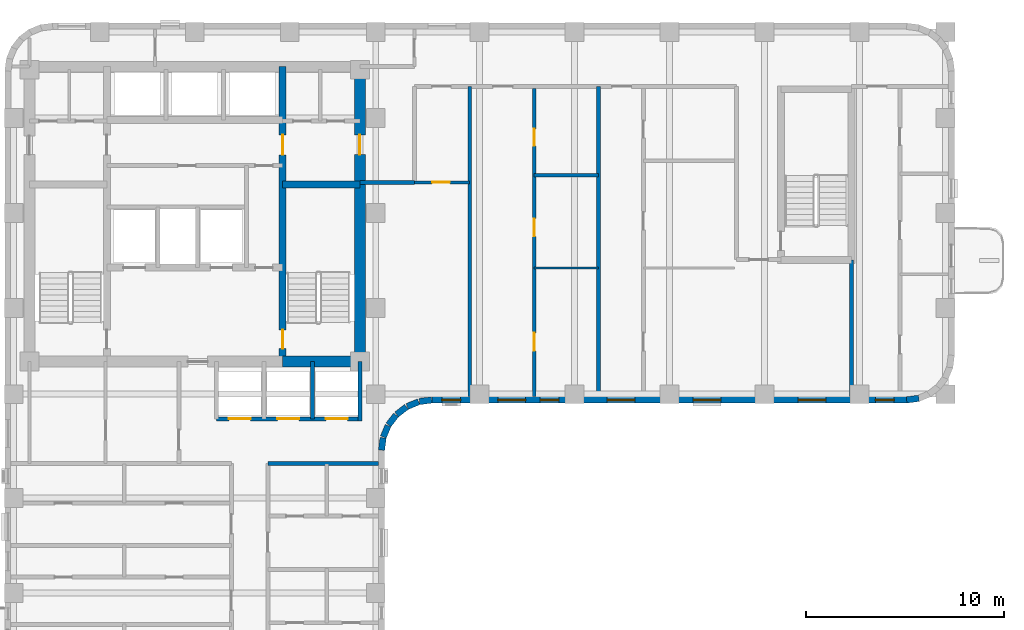
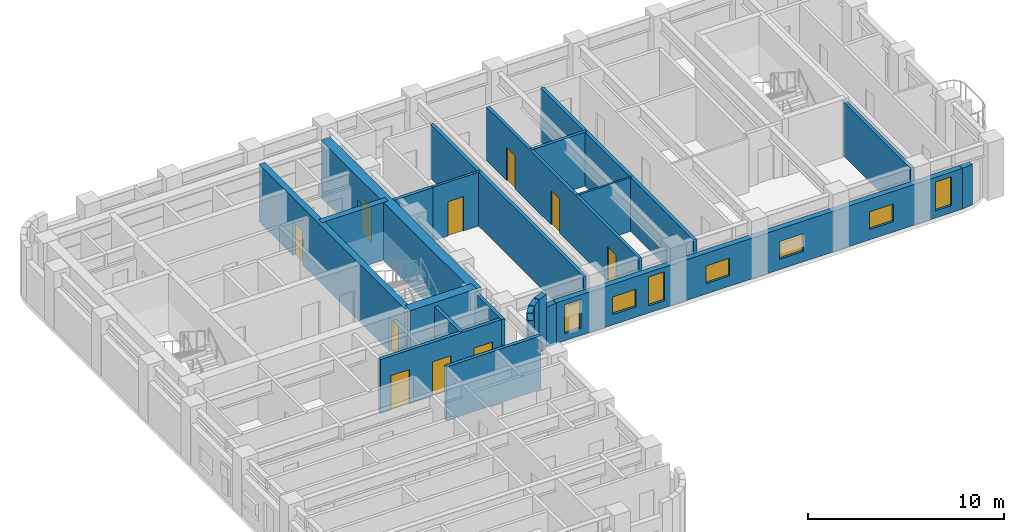
# One storey, part 5 of 10: 24 walls, 10 doors, 7 windows, 17 openings.
"""IFC4 building model written with IfcOpenShell, lengths in metres."""

from ifc_helpers import new_model, si_unit, direction, frame, frame_2d, origin, place, context, subcontext, project, spatial, rectangle, extrude, material, layer, layer_set, type_object, element, fill, save


model = new_model("IFC4")

# Units and contexts
model_context = context("Model", 3, precision=1e-05, world=origin(), true_north=direction((0.0, 1.0)))
body_context = subcontext(model_context, "Body", "Model", "MODEL_VIEW")
ifc_project = project(units=[si_unit("LENGTHUNIT", "METRE"), si_unit("AREAUNIT", "SQUARE_METRE"), si_unit("VOLUMEUNIT", "CUBIC_METRE"), si_unit("PLANEANGLEUNIT", "RADIAN"), si_unit("MASSUNIT", "GRAM", prefix="KILO")], contexts=[model_context])

# Site, building, storey
site_placement = place(None, origin())
site = spatial("IfcSite", under=ifc_project, at=site_placement, CompositionType="ELEMENT")
building_placement = place(site_placement, origin())
building = spatial("IfcBuilding", under=site, at=building_placement, Name="Orvandelia Arch Residences", CompositionType="ELEMENT")
storey_placement = place(building_placement, frame((0.0, 0.0, 110.800048828125)))
storey = spatial("IfcBuildingStorey", under=building, at=storey_placement, Name="L28", CompositionType="ELEMENT", Elevation=110.800048828125)

# Wall, openings, doors
ifc_material_1 = material(Name="Concrete C50/60", Category="concrete")
ifc_layer_1 = layer(ifc_material_1, 0.35009765625, Name="Concrete C50/60", Category="concrete")
ifc_layer_set_1 = layer_set([ifc_layer_1], Name="Concrete C50/60")
wall_type_1 = type_object("IfcWallType", Name="WL-CORE-350", PredefinedType="SHEAR", material=ifc_layer_set_1)
wall_1_placement = place(storey_placement, frame((18.840087890625, 30.89990234375, 0.0), z_axis=(0.0, 0.0, 1.0), x_axis=(0.0, 1.0, 0.0)))
wall_1 = element("IfcWall", 1, at=wall_1_placement, inside=storey, type_object=wall_type_1, Name="Core Shear Wall L28-WEB2", PredefinedType="SHEAR", context=body_context, shape_type="SweptSolid", body=[
    extrude(rectangle(XDim=14.900146484375, YDim=0.35009765625, at=frame_2d((7.4501953125, 0.0))), origin(), (0.0, 0.0, 1.0), 3.599853515625),
])
opening_1_placement = place(wall_1_placement, frame((0.64990234375, 0.0, 0.0)))
opening_1 = element("IfcOpeningElement", 2, at=opening_1_placement, cuts=wall_1, Name="Opening D7", PredefinedType="OPENING", context=body_context, shape_type="SweptSolid", body=[
    extrude(rectangle(XDim=0.949951171875, YDim=2.10009765625, at=frame_2d((0.47509765625, 1.050048828125))), frame((0.0, 0.18505859375, 0.0), z_axis=(0.0, -1.0, 0.0), x_axis=(1.0, 0.0, 0.0)), (0.0, 0.0, 1.0), 0.3701171875),
])
opening_2_placement = place(wall_1_placement, frame((10.449951171875, 0.0, 0.0)))
opening_2 = element("IfcOpeningElement", 3, at=opening_2_placement, cuts=wall_1, Name="Opening D6", PredefinedType="OPENING", context=body_context, shape_type="SweptSolid", body=[
    extrude(rectangle(XDim=1.0, YDim=2.14990234375, at=frame_2d((0.5, 1.074951171875))), frame((0.0, 0.18505859375, 0.0), z_axis=(0.0, -1.0, 0.0), x_axis=(1.0, 0.0, 0.0)), (0.0, 0.0, 1.0), 0.3701171875),
])
ifc_material_2 = material(Name="Smokeproof Painted Steel Fire Door", Category="steel")
door_type_1 = type_object("IfcDoorType", Name="DR-FD60-1000", OperationType="NOTDEFINED", PredefinedType="DOOR", material=ifc_material_2)
door_1_placement = place(opening_2_placement, origin())
door_1 = element("IfcDoor", 4, at=door_1_placement, inside=storey, type_object=door_type_1, Name="High-Rise Lift Hall East Vestibule Door L28", OperationType="SINGLE_SWING_RIGHT", OverallHeight=2.14990234375, OverallWidth=1.0, PredefinedType="DOOR", context=body_context, shape_type="SweptSolid", body=[
    extrude(rectangle(XDim=1.0, YDim=2.14990234375, at=frame_2d((0.5, 1.074951171875))), frame((0.0, 0.02490234375, 0.0), z_axis=(0.0, -1.0, 0.0), x_axis=(1.0, 0.0, 0.0)), (0.0, 0.0, 1.0), 0.050048828125),
])
fill(opening_2, door_1)
ifc_material_3 = material(Name="Pressurised Stairwell Fire Door")
door_type_2 = type_object("IfcDoorType", Name="DR-STAIR-950", OperationType="NOTDEFINED", PredefinedType="DOOR", material=ifc_material_3)
door_2_placement = place(opening_1_placement, origin())
door_2 = element("IfcDoor", 5, at=door_2_placement, inside=storey, type_object=door_type_2, Name="Stairwell ST-2 Fire Door L28", OperationType="SINGLE_SWING_RIGHT", OverallHeight=2.10009765625, OverallWidth=0.949951171875, PredefinedType="DOOR", context=body_context, shape_type="SweptSolid", body=[
    extrude(rectangle(XDim=0.949951171875, YDim=2.10009765625, at=frame_2d((0.47509765625, 1.050048828125))), frame((0.0, 0.02490234375, 0.0), z_axis=(0.0, -1.0, 0.0), x_axis=(1.0, 0.0, 0.0)), (0.0, 0.0, 1.0), 0.050048828125),
])
fill(opening_1, door_2)

# Wall
wall_2_placement = place(storey_placement, frame((18.840087890625, 39.85009765625, 0.0), z_axis=(0.0, 0.0, 1.0), x_axis=(1.0, 0.0, 0.0)))
element("IfcWall", 6, at=wall_2_placement, inside=storey, type_object=wall_type_1, Name="Core Shear Wall L28-HZ2", PredefinedType="SHEAR", context=body_context, shape_type="SweptSolid", body=[
    extrude(rectangle(XDim=3.909912109375, YDim=0.35009765625, at=frame_2d((1.955078125, 0.0))), origin(), (0.0, 0.0, 1.0), 3.599853515625),
])

# Wall, opening, door
ifc_material_4 = material(Name="Concrete C60/75", Category="concrete")
ifc_layer_2 = layer(ifc_material_4, 0.550048828125, Name="Concrete C60/75", Category="concrete")
ifc_layer_set_2 = layer_set([ifc_layer_2], Name="Concrete C60/75")
wall_type_2 = type_object("IfcWallType", Name="WL-CORE-550", PredefinedType="SHEAR", material=ifc_layer_set_2)
wall_3_placement = place(storey_placement, frame((22.75, 30.625, 0.0), z_axis=(0.0, 0.0, 1.0), x_axis=(0.0, 1.0, 0.0)))
wall_3 = element("IfcWall", 7, at=wall_3_placement, inside=storey, type_object=wall_type_2, Name="Core Shear Wall L28-E", PredefinedType="SHEAR", context=body_context, shape_type="SweptSolid", body=[
    extrude(rectangle(XDim=15.449951171875, YDim=0.550048828125, at=frame_2d((7.72509765625, 0.0))), origin(), (0.0, 0.0, 1.0), 3.599853515625),
])
opening_3_placement = place(wall_3_placement, frame((10.72509765625, 0.0, 0.0)))
opening_3 = element("IfcOpeningElement", 8, at=opening_3_placement, cuts=wall_3, Name="Opening D6", PredefinedType="OPENING", context=body_context, shape_type="SweptSolid", body=[
    extrude(rectangle(XDim=1.0, YDim=2.14990234375, at=frame_2d((0.5, 1.074951171875))), frame((0.0, 0.28515625, 0.0), z_axis=(0.0, -1.0, 0.0), x_axis=(1.0, 0.0, 0.0)), (0.0, 0.0, 1.0), 0.570068359375),
])
door_3_placement = place(opening_3_placement, origin())
door_3 = element("IfcDoor", 9, at=door_3_placement, inside=storey, type_object=door_type_1, Name="Core East Corridor Link Door L28", OperationType="SINGLE_SWING_LEFT", OverallHeight=2.14990234375, OverallWidth=1.0, PredefinedType="DOOR", context=body_context, shape_type="SweptSolid", body=[
    extrude(rectangle(XDim=1.0, YDim=2.14990234375, at=frame_2d((0.5, 1.074951171875))), frame((0.0, 0.02490234375, 0.0), z_axis=(0.0, -1.0, 0.0), x_axis=(1.0, 0.0, 0.0)), (0.0, 0.0, 1.0), 0.050048828125),
])
fill(opening_3, door_3)

# Walls
wall_4_placement = place(storey_placement, frame((18.840087890625, 30.89990234375, 0.0), z_axis=(0.0, 0.0, 1.0), x_axis=(1.0, 0.0, 0.0)))
element("IfcWall", 10, at=wall_4_placement, inside=storey, type_object=wall_type_2, Name="Core Shear Wall L28-SE", PredefinedType="SHEAR", context=body_context, shape_type="SweptSolid", body=[
    extrude(rectangle(XDim=3.909912109375, YDim=0.550048828125, at=frame_2d((1.955078125, 0.0))), origin(), (0.0, 0.0, 1.0), 3.599853515625),
])
ifc_material_5 = material(Name="Fire-Rated Corridor Partition")
ifc_layer_3 = layer(ifc_material_5, 0.199951171875, Name="Fire-Rated Corridor Partition")
ifc_layer_set_3 = layer_set([ifc_layer_3], Name="Fire-Rated Corridor Partition")
wall_type_3 = type_object("IfcWallType", Name="WL-CORR-200", PredefinedType="PARTITIONING", material=ifc_layer_set_3)
wall_5_placement = place(storey_placement, frame((18.10009765625, 25.75, 0.0), z_axis=(0.0, 0.0, 1.0), x_axis=(1.0, 0.0, 0.0)))
element("IfcWall", 11, at=wall_5_placement, inside=storey, type_object=wall_type_3, Name="Interior Partition Wall WL-L28-WCLS-E", PredefinedType="PARTITIONING", context=body_context, shape_type="SweptSolid", body=[
    extrude(rectangle(XDim=5.579833984375, YDim=0.199951171875, at=frame_2d((2.7900390625, 0.0))), origin(), (0.0, 0.0, 1.0), 3.35986328125),
])
wall_6_placement = place(storey_placement, frame((22.75, 39.949951171875, 0.0), z_axis=(0.0, 0.0, 1.0), x_axis=(1.0, 0.0, 0.0)))
element("IfcWall", 12, at=wall_6_placement, inside=storey, type_object=wall_type_3, Name="Interior Partition Wall WL-L28-EN2-LS", PredefinedType="PARTITIONING", context=body_context, shape_type="SweptSolid", body=[
    extrude(rectangle(XDim=2.75, YDim=0.199951171875, at=frame_2d((1.375, 0.0))), origin(), (0.0, 0.0, 1.0), 3.35986328125),
])
ifc_material_6 = material(Name="Concrete C40/50", Category="concrete")
ifc_layer_4 = layer(ifc_material_6, 0.199951171875, Name="Concrete C40/50", Category="concrete")
ifc_layer_set_4 = layer_set([ifc_layer_4], Name="Concrete C40/50")
wall_type_4 = type_object("IfcWallType", Name="WL-DEM-200", PredefinedType="SOLIDWALL", material=ifc_layer_set_4)
for number, where, z_axis, x_axis, name in (
    (13, (28.300048828125, 29.1201171875, 0.0), (0.0, 0.0, 1.0), (0.0, 1.0, 0.0), "Interior Partition Wall WL-L28-EN2-KLE"),
    (14, (34.800048828125, 29.1201171875, 0.0), (0.0, 0.0, 1.0), (0.0, 1.0, 0.0), "Interior Partition Wall WL-L28-DEM-EN2-348"),
):
    element("IfcWall", number, at=place(storey_placement, frame(where, z_axis=z_axis, x_axis=x_axis)), inside=storey, type_object=wall_type_4, Name=name, PredefinedType="SOLIDWALL", context=body_context, shape_type="SweptSolid", body=[
        extrude(rectangle(XDim=15.679931640625, YDim=0.199951171875, at=frame_2d((7.83984375, 0.0))), origin(), (0.0, 0.0, 1.0), 3.35986328125),
    ])
wall_7_placement = place(storey_placement, frame((47.60009765625, 29.1201171875, 0.0), z_axis=(0.0, 0.0, 1.0), x_axis=(0.0, 1.0, 0.0)))
element("IfcWall", 15, at=wall_7_placement, inside=storey, type_object=wall_type_4, Name="Interior Partition Wall WL-L28-EN2-SLE", PredefinedType="SOLIDWALL", context=body_context, shape_type="SweptSolid", body=[
    extrude(rectangle(XDim=6.919921875, YDim=0.199951171875, at=frame_2d((3.4599609375, 0.0))), origin(), (0.0, 0.0, 1.0), 3.35986328125),
])
ifc_material_7 = material(Name="Precast concrete C40/50", Category="concrete")
ifc_layer_5 = layer(ifc_material_7, 0.320068359375, Name="Precast concrete C40/50", Category="concrete")
ifc_layer_set_5 = layer_set([ifc_layer_5], Name="Precast concrete C40/50")
wall_type_5 = type_object("IfcWallType", Name="WL-EXT-STONE-320", PredefinedType="STANDARD", material=ifc_layer_set_5)
wall_8_placement = place(storey_placement, frame((51.000244140625, 29.040283203125, 0.0), z_axis=(0.0, 0.0, 1.0), x_axis=(-0.9914410257, -0.130555323746, 0.0)))
element("IfcWall", 16, at=wall_8_placement, inside=storey, type_object=wall_type_5, Name="Coral-Limestone Precast Facade Wall L28-020", PredefinedType="STANDARD", context=body_context, shape_type="SweptSolid", body=[
    extrude(rectangle(XDim=0.62646484375, YDim=0.320068359375, at=frame_2d((0.313232421875, 0.0))), origin(), (0.0, 0.0, 1.0), 2.5400390625),
])

# Wall, openings, windows
wall_9_placement = place(storey_placement, frame((50.39990234375, 28.9599609375, 0.0), z_axis=(0.0, 0.0, 1.0), x_axis=(-1.0, 0.0, 0.0)))
wall_9 = element("IfcWall", 17, at=wall_9_placement, inside=storey, type_object=wall_type_5, Name="Coral-Limestone Precast Facade Wall L28-021", PredefinedType="STANDARD", context=body_context, shape_type="SweptSolid", body=[
    extrude(rectangle(XDim=24.0, YDim=0.320068359375, at=frame_2d((12.0, 0.0))), origin(), (0.0, 0.0, 1.0), 2.5400390625),
])
opening_4_placement = place(wall_9_placement, frame((19.278076171875, 0.0, 0.64990234375)))
opening_4 = element("IfcOpeningElement", 18, at=opening_4_placement, cuts=wall_9, Name="Opening W10", PredefinedType="OPENING", context=body_context, shape_type="SweptSolid", body=[
    extrude(rectangle(XDim=1.39990234375, YDim=1.10009765625, at=frame_2d((0.699951171875, 0.550048828125))), frame((0.0, 0.169921875, 0.0), z_axis=(0.0, -1.0, 0.0), x_axis=(1.0, 0.0, 0.0)), (0.0, 0.0, 1.0), 0.340087890625),
])
opening_5_placement = place(wall_9_placement, frame((13.760009765625, 0.0, 0.64990234375)))
opening_5 = element("IfcOpeningElement", 19, at=opening_5_placement, cuts=wall_9, Name="Opening W10", PredefinedType="OPENING", context=body_context, shape_type="SweptSolid", body=[
    extrude(rectangle(XDim=1.39990234375, YDim=1.10009765625, at=frame_2d((0.699951171875, 0.550048828125))), frame((0.0, 0.169921875, 0.0), z_axis=(0.0, -1.0, 0.0), x_axis=(1.0, 0.0, 0.0)), (0.0, 0.0, 1.0), 0.340087890625),
])
opening_6_placement = place(wall_9_placement, frame((22.554931640625, 0.0, 0.449951171875)))
opening_6 = element("IfcOpeningElement", 20, at=opening_6_placement, cuts=wall_9, Name="Opening W4", PredefinedType="OPENING", context=body_context, shape_type="SweptSolid", body=[
    extrude(rectangle(XDim=0.949951171875, YDim=1.800048828125, at=frame_2d((0.47509765625, 0.89990234375))), frame((0.0, 0.169921875, 0.0), z_axis=(0.0, -1.0, 0.0), x_axis=(1.0, 0.0, 0.0)), (0.0, 0.0, 1.0), 0.340087890625),
])
opening_7_placement = place(wall_9_placement, frame((4.10009765625, 0.0, 0.64990234375)))
opening_7 = element("IfcOpeningElement", 21, at=opening_7_placement, cuts=wall_9, Name="Opening W10", PredefinedType="OPENING", context=body_context, shape_type="SweptSolid", body=[
    extrude(rectangle(XDim=1.39990234375, YDim=1.10009765625, at=frame_2d((0.699951171875, 0.550048828125))), frame((0.0, 0.169921875, 0.0), z_axis=(0.0, -1.0, 0.0), x_axis=(1.0, 0.0, 0.0)), (0.0, 0.0, 1.0), 0.340087890625),
])
opening_8_placement = place(wall_9_placement, frame((17.597900390625, 0.0, 0.449951171875)))
opening_8 = element("IfcOpeningElement", 22, at=opening_8_placement, cuts=wall_9, Name="Opening W4", PredefinedType="OPENING", context=body_context, shape_type="SweptSolid", body=[
    extrude(rectangle(XDim=0.949951171875, YDim=1.800048828125, at=frame_2d((0.47509765625, 0.89990234375))), frame((0.0, 0.169921875, 0.0), z_axis=(0.0, -1.0, 0.0), x_axis=(1.0, 0.0, 0.0)), (0.0, 0.0, 1.0), 0.340087890625),
])
opening_9_placement = place(wall_9_placement, frame((9.41259765625, 0.0, 0.64990234375)))
opening_9 = element("IfcOpeningElement", 23, at=opening_9_placement, cuts=wall_9, Name="Opening W10", PredefinedType="OPENING", context=body_context, shape_type="SweptSolid", body=[
    extrude(rectangle(XDim=1.39990234375, YDim=1.10009765625, at=frame_2d((0.699951171875, 0.550048828125))), frame((0.0, 0.169921875, 0.0), z_axis=(0.0, -1.0, 0.0), x_axis=(1.0, 0.0, 0.0)), (0.0, 0.0, 1.0), 0.340087890625),
])
opening_10_placement = place(wall_9_placement, frame((0.656005859375, 0.0, 0.449951171875)))
opening_10 = element("IfcOpeningElement", 24, at=opening_10_placement, cuts=wall_9, Name="Opening W4", PredefinedType="OPENING", context=body_context, shape_type="SweptSolid", body=[
    extrude(rectangle(XDim=0.949951171875, YDim=1.800048828125, at=frame_2d((0.47509765625, 0.89990234375))), frame((0.0, 0.169921875, 0.0), z_axis=(0.0, -1.0, 0.0), x_axis=(1.0, 0.0, 0.0)), (0.0, 0.0, 1.0), 0.340087890625),
])
ifc_material_8 = material(Name="Tempered Low-E Insulated Glazing", Category="glass")
window_type_1 = type_object("IfcWindowType", Name="WIN-CLR-1400x1100", PartitioningType="SINGLE_PANEL", PredefinedType="WINDOW", material=ifc_material_8)
window_1_placement = place(opening_4_placement, origin())
window_1 = element("IfcWindow", 25, at=window_1_placement, inside=storey, type_object=window_type_1, Name="Recessed Punched Window L28-007", OverallHeight=1.10009765625, OverallWidth=1.39990234375, PartitioningType="SINGLE_PANEL", PredefinedType="WINDOW", context=body_context, shape_type="SweptSolid", body=[
    extrude(rectangle(XDim=1.39990234375, YDim=1.10009765625, at=frame_2d((0.699951171875, 0.550048828125))), frame((0.0, 0.030029296875, 0.0), z_axis=(0.0, -1.0, 0.0), x_axis=(1.0, 0.0, 0.0)), (0.0, 0.0, 1.0), 0.06005859375),
])
fill(opening_4, window_1)
window_2_placement = place(opening_5_placement, origin())
window_2 = element("IfcWindow", 26, at=window_2_placement, inside=storey, type_object=window_type_1, Name="Recessed Punched Window L28-008", OverallHeight=1.10009765625, OverallWidth=1.39990234375, PartitioningType="SINGLE_PANEL", PredefinedType="WINDOW", context=body_context, shape_type="SweptSolid", body=[
    extrude(rectangle(XDim=1.39990234375, YDim=1.10009765625, at=frame_2d((0.699951171875, 0.550048828125))), frame((0.0, 0.030029296875, 0.0), z_axis=(0.0, -1.0, 0.0), x_axis=(1.0, 0.0, 0.0)), (0.0, 0.0, 1.0), 0.06005859375),
])
fill(opening_5, window_2)
window_3_placement = place(opening_7_placement, origin())
window_3 = element("IfcWindow", 27, at=window_3_placement, inside=storey, type_object=window_type_1, Name="Recessed Punched Window L28-010", OverallHeight=1.10009765625, OverallWidth=1.39990234375, PartitioningType="SINGLE_PANEL", PredefinedType="WINDOW", context=body_context, shape_type="SweptSolid", body=[
    extrude(rectangle(XDim=1.39990234375, YDim=1.10009765625, at=frame_2d((0.699951171875, 0.550048828125))), frame((0.0, 0.030029296875, 0.0), z_axis=(0.0, -1.0, 0.0), x_axis=(1.0, 0.0, 0.0)), (0.0, 0.0, 1.0), 0.06005859375),
])
fill(opening_7, window_3)
window_4_placement = place(opening_9_placement, origin())
window_4 = element("IfcWindow", 28, at=window_4_placement, inside=storey, type_object=window_type_1, Name="Recessed Punched Window L28-012", OverallHeight=1.10009765625, OverallWidth=1.39990234375, PartitioningType="SINGLE_PANEL", PredefinedType="WINDOW", context=body_context, shape_type="SweptSolid", body=[
    extrude(rectangle(XDim=1.39990234375, YDim=1.10009765625, at=frame_2d((0.699951171875, 0.550048828125))), frame((0.0, 0.030029296875, 0.0), z_axis=(0.0, -1.0, 0.0), x_axis=(1.0, 0.0, 0.0)), (0.0, 0.0, 1.0), 0.06005859375),
])
fill(opening_9, window_4)
window_type_2 = type_object("IfcWindowType", Name="WIN-RES-0950x1800", PartitioningType="SINGLE_PANEL", PredefinedType="WINDOW", material=ifc_material_8)
window_5_placement = place(opening_6_placement, origin())
window_5 = element("IfcWindow", 29, at=window_5_placement, inside=storey, type_object=window_type_2, Name="Recessed Punched Window L28-009", OverallHeight=1.800048828125, OverallWidth=0.949951171875, PartitioningType="SINGLE_PANEL", PredefinedType="WINDOW", context=body_context, shape_type="SweptSolid", body=[
    extrude(rectangle(XDim=0.949951171875, YDim=1.800048828125, at=frame_2d((0.47509765625, 0.89990234375))), frame((0.0, 0.030029296875, 0.0), z_axis=(0.0, -1.0, 0.0), x_axis=(1.0, 0.0, 0.0)), (0.0, 0.0, 1.0), 0.06005859375),
])
fill(opening_6, window_5)
window_6_placement = place(opening_8_placement, origin())
window_6 = element("IfcWindow", 30, at=window_6_placement, inside=storey, type_object=window_type_2, Name="Recessed Punched Window L28-011", OverallHeight=1.800048828125, OverallWidth=0.949951171875, PartitioningType="SINGLE_PANEL", PredefinedType="WINDOW", context=body_context, shape_type="SweptSolid", body=[
    extrude(rectangle(XDim=0.949951171875, YDim=1.800048828125, at=frame_2d((0.47509765625, 0.89990234375))), frame((0.0, 0.030029296875, 0.0), z_axis=(0.0, -1.0, 0.0), x_axis=(1.0, 0.0, 0.0)), (0.0, 0.0, 1.0), 0.06005859375),
])
fill(opening_8, window_6)
window_7_placement = place(opening_10_placement, origin())
window_7 = element("IfcWindow", 31, at=window_7_placement, inside=storey, type_object=window_type_2, Name="Recessed Punched Window L28-013", OverallHeight=1.800048828125, OverallWidth=0.949951171875, PartitioningType="SINGLE_PANEL", PredefinedType="WINDOW", context=body_context, shape_type="SweptSolid", body=[
    extrude(rectangle(XDim=0.949951171875, YDim=1.800048828125, at=frame_2d((0.47509765625, 0.89990234375))), frame((0.0, 0.030029296875, 0.0), z_axis=(0.0, -1.0, 0.0), x_axis=(1.0, 0.0, 0.0)), (0.0, 0.0, 1.0), 0.06005859375),
])
fill(opening_10, window_7)

# Walls
wall_10_placement = place(storey_placement, frame((26.379150390625, 28.95849609375, 0.0), z_axis=(0.0, 0.0, 1.0), x_axis=(-0.991447664465, -0.130504898859, 0.0)))
element("IfcWall", 32, at=wall_10_placement, inside=storey, type_object=wall_type_5, Name="Coral-Limestone Precast Facade Wall L28-022", PredefinedType="STANDARD", context=body_context, shape_type="SweptSolid", body=[
    extrude(rectangle(XDim=0.626708984375, YDim=0.320068359375, at=frame_2d((0.3134765625, 0.0))), origin(), (0.0, 0.0, 1.0), 2.5400390625),
])
wall_11_placement = place(storey_placement, frame((25.717529296875, 28.865966796875, 0.0), z_axis=(0.0, 0.0, 1.0), x_axis=(-0.923836271867, -0.382787856107, 0.0)))
element("IfcWall", 33, at=wall_11_placement, inside=storey, type_object=wall_type_5, Name="Coral-Limestone Precast Facade Wall L28-023", PredefinedType="STANDARD", context=body_context, shape_type="SweptSolid", body=[
    extrude(rectangle(XDim=0.626220703125, YDim=0.320068359375, at=frame_2d((0.31298828125, 0.0))), origin(), (0.0, 0.0, 1.0), 3.35986328125),
])
for number, where, z_axis, x_axis, name in (
    (34, (25.1025390625, 28.60546875, 0.0), (0.0, 0.0, 1.0), (-0.793405610854, -0.608693302629, 0.0), "Coral-Limestone Precast Facade Wall L28-024"),
    (35, (24.575927734375, 28.194580078125, 0.0), (0.0, 0.0, 1.0), (-0.608693302629, -0.793405610854, 0.0), "Coral-Limestone Precast Facade Wall L28-025"),
):
    element("IfcWall", number, at=place(storey_placement, frame(where, z_axis=z_axis, x_axis=x_axis)), inside=storey, type_object=wall_type_5, Name=name, PredefinedType="STANDARD", context=body_context, shape_type="SweptSolid", body=[
        extrude(rectangle(XDim=0.62646484375, YDim=0.320068359375, at=frame_2d((0.313232421875, 0.0))), origin(), (0.0, 0.0, 1.0), 3.35986328125),
    ])
wall_12_placement = place(storey_placement, frame((24.173583984375, 27.6611328125, 0.0), z_axis=(0.0, 0.0, 1.0), x_axis=(-0.382455093999, -0.923974080304, 0.0)))
element("IfcWall", 36, at=wall_12_placement, inside=storey, type_object=wall_type_5, Name="Coral-Limestone Precast Facade Wall L28-026", PredefinedType="STANDARD", context=body_context, shape_type="SweptSolid", body=[
    extrude(rectangle(XDim=0.626220703125, YDim=0.320068359375, at=frame_2d((0.31298828125, 0.0))), origin(), (0.0, 0.0, 1.0), 3.35986328125),
])
wall_13_placement = place(storey_placement, frame((23.923095703125, 27.0419921875, 0.0), z_axis=(0.0, 0.0, 1.0), x_axis=(-0.130555323746, -0.9914410257, 0.0)))
element("IfcWall", 37, at=wall_13_placement, inside=storey, type_object=wall_type_5, Name="Coral-Limestone Precast Facade Wall L28-027", PredefinedType="STANDARD", context=body_context, shape_type="SweptSolid", body=[
    extrude(rectangle(XDim=0.62646484375, YDim=0.320068359375, at=frame_2d((0.313232421875, 0.0))), origin(), (0.0, 0.0, 1.0), 2.5400390625),
])
ifc_material_9 = material(Name="Lightweight Gypsum Stud Partition")
ifc_layer_6 = layer(ifc_material_9, 0.1201171875, Name="Lightweight Gypsum Stud Partition")
ifc_layer_set_6 = layer_set([ifc_layer_6], Name="Lightweight Gypsum Stud Partition")
wall_type_6 = type_object("IfcWallType", Name="WL-PART-120", PredefinedType="PARTITIONING", material=ifc_layer_set_6)
wall_14_placement = place(storey_placement, frame((31.549072265625, 35.62890625, 0.0), z_axis=(0.0, 0.0, 1.0), x_axis=(1.0, 0.0, 0.0)))
element("IfcWall", 38, at=wall_14_placement, inside=storey, type_object=wall_type_6, Name="Interior Partition Wall WL-L28-U08-H1", PredefinedType="PARTITIONING", context=body_context, shape_type="SweptSolid", body=[
    extrude(rectangle(XDim=3.2509765625, YDim=0.1201171875, at=frame_2d((1.62548828125, 0.0))), origin(), (0.0, 0.0, 1.0), 3.35986328125),
])

# Wall, opening, door
ifc_material_10 = material(Name="Acoustic Gypsum Stud Partition")
ifc_layer_7 = layer(ifc_material_10, 0.14990234375, Name="Acoustic Gypsum Stud Partition")
ifc_layer_set_7 = layer_set([ifc_layer_7], Name="Acoustic Gypsum Stud Partition")
wall_type_7 = type_object("IfcWallType", Name="WL-PART-150", PredefinedType="PARTITIONING", material=ifc_layer_set_7)
wall_15_placement = place(storey_placement, frame((25.5, 39.949951171875, 0.0), z_axis=(0.0, 0.0, 1.0), x_axis=(1.0, 0.0, 0.0)))
wall_15 = element("IfcWall", 39, at=wall_15_placement, inside=storey, type_object=wall_type_7, Name="Interior Partition Wall WL-L28-EN2-KLN", PredefinedType="PARTITIONING", context=body_context, shape_type="SweptSolid", body=[
    extrude(rectangle(XDim=2.800048828125, YDim=0.14990234375, at=frame_2d((1.39990234375, 0.0))), origin(), (0.0, 0.0, 1.0), 3.35986328125),
])
opening_11_placement = place(wall_15_placement, frame((0.89990234375, 0.0, 0.0)))
opening_11 = element("IfcOpeningElement", 40, at=opening_11_placement, cuts=wall_15, Name="Opening D3", PredefinedType="OPENING", context=body_context, shape_type="SweptSolid", body=[
    extrude(rectangle(XDim=0.89990234375, YDim=2.14990234375, at=frame_2d((0.449951171875, 1.074951171875))), frame((0.0, 0.0849609375, 0.0), z_axis=(0.0, -1.0, 0.0), x_axis=(1.0, 0.0, 0.0)), (0.0, 0.0, 1.0), 0.169921875),
])
ifc_material_11 = material(Name="Engineered Timber Flush Door", Category="wood")
door_type_3 = type_object("IfcDoorType", Name="DR-INT-900", OperationType="NOTDEFINED", PredefinedType="DOOR", material=ifc_material_11)
door_4_placement = place(opening_11_placement, origin())
door_4 = element("IfcDoor", 41, at=door_4_placement, inside=storey, type_object=door_type_3, Name="DR-L28-EN2KNK", OperationType="SINGLE_SWING_RIGHT", OverallHeight=2.14990234375, OverallWidth=0.89990234375, PredefinedType="DOOR", context=body_context, shape_type="SweptSolid", body=[
    extrude(rectangle(XDim=0.89990234375, YDim=2.14990234375, at=frame_2d((0.449951171875, 1.074951171875))), frame((0.0, 0.02490234375, 0.0), z_axis=(0.0, -1.0, 0.0), x_axis=(1.0, 0.0, 0.0)), (0.0, 0.0, 1.0), 0.050048828125),
])
fill(opening_11, door_4)

# Wall, openings, doors
ifc_material_12 = material(Name="Fire-Rated Shaft Enclosure Wall")
ifc_layer_8 = layer(ifc_material_12, 0.199951171875, Name="Fire-Rated Shaft Enclosure Wall")
ifc_layer_set_8 = layer_set([ifc_layer_8], Name="Fire-Rated Shaft Enclosure Wall")
wall_type_8 = type_object("IfcWallType", Name="WL-SHAFT-200", PredefinedType="POLYGONAL", material=ifc_layer_set_8)
wall_16_placement = place(storey_placement, frame((15.5, 28.0, 0.0), z_axis=(0.0, 0.0, 1.0), x_axis=(1.0, 0.0, 0.0)))
wall_16 = element("IfcWall", 42, at=wall_16_placement, inside=storey, type_object=wall_type_8, Name="Interior Partition Wall WL-L28-BNKM-S", PredefinedType="POLYGONAL", context=body_context, shape_type="SweptSolid", body=[
    extrude(rectangle(XDim=7.25, YDim=0.199951171875, at=frame_2d((3.625, 0.0))), origin(), (0.0, 0.0, 1.0), 3.35986328125),
])
opening_12_placement = place(wall_16_placement, frame((0.625, 0.0, 0.0)))
opening_12 = element("IfcOpeningElement", 43, at=opening_12_placement, cuts=wall_16, Name="Opening LD", PredefinedType="OPENING", context=body_context, shape_type="SweptSolid", body=[
    extrude(rectangle(XDim=1.10009765625, YDim=2.14990234375, at=frame_2d((0.550048828125, 1.074951171875))), frame((0.0, 0.10986328125, 0.0), z_axis=(0.0, -1.0, 0.0), x_axis=(1.0, 0.0, 0.0)), (0.0, 0.0, 1.0), 0.219970703125),
])
opening_13_placement = place(wall_16_placement, frame((3.074951171875, 0.0, 0.0)))
opening_13 = element("IfcOpeningElement", 44, at=opening_13_placement, cuts=wall_16, Name="Opening LD", PredefinedType="OPENING", context=body_context, shape_type="SweptSolid", body=[
    extrude(rectangle(XDim=1.10009765625, YDim=2.14990234375, at=frame_2d((0.550048828125, 1.074951171875))), frame((0.0, 0.10986328125, 0.0), z_axis=(0.0, -1.0, 0.0), x_axis=(1.0, 0.0, 0.0)), (0.0, 0.0, 1.0), 0.219970703125),
])
opening_14_placement = place(wall_16_placement, frame((5.52490234375, 0.0, 0.0)))
opening_14 = element("IfcOpeningElement", 45, at=opening_14_placement, cuts=wall_16, Name="Opening LD", PredefinedType="OPENING", context=body_context, shape_type="SweptSolid", body=[
    extrude(rectangle(XDim=1.10009765625, YDim=2.14990234375, at=frame_2d((0.550048828125, 1.074951171875))), frame((0.0, 0.10986328125, 0.0), z_axis=(0.0, -1.0, 0.0), x_axis=(1.0, 0.0, 0.0)), (0.0, 0.0, 1.0), 0.219970703125),
])
ifc_material_13 = material(Name="Brushed Stainless Steel Sliding Lift Door", Category="steel")
door_type_4 = type_object("IfcDoorType", Name="DR-LIFT-1100", OperationType="NOTDEFINED", PredefinedType="DOOR", material=ifc_material_13)
door_5_placement = place(opening_12_placement, origin())
door_5 = element("IfcDoor", 46, at=door_5_placement, inside=storey, type_object=door_type_4, Name="Lift Landing Door LD-PM1", OperationType="SLIDING_TO_LEFT", OverallHeight=2.14990234375, OverallWidth=1.10009765625, PredefinedType="DOOR", context=body_context, shape_type="SweptSolid", body=[
    extrude(rectangle(XDim=1.10009765625, YDim=2.14990234375, at=frame_2d((0.550048828125, 1.074951171875))), frame((0.0, 0.02490234375, 0.0), z_axis=(0.0, -1.0, 0.0), x_axis=(1.0, 0.0, 0.0)), (0.0, 0.0, 1.0), 0.050048828125),
])
fill(opening_12, door_5)
door_6_placement = place(opening_13_placement, origin())
door_6 = element("IfcDoor", 47, at=door_6_placement, inside=storey, type_object=door_type_4, Name="Lift Landing Door LD-PM2", OperationType="SLIDING_TO_RIGHT", OverallHeight=2.14990234375, OverallWidth=1.10009765625, PredefinedType="DOOR", context=body_context, shape_type="SweptSolid", body=[
    extrude(rectangle(XDim=1.10009765625, YDim=2.14990234375, at=frame_2d((0.550048828125, 1.074951171875))), frame((0.0, 0.02490234375, 0.0), z_axis=(0.0, -1.0, 0.0), x_axis=(1.0, 0.0, 0.0)), (0.0, 0.0, 1.0), 0.050048828125),
])
fill(opening_13, door_6)
door_7_placement = place(opening_14_placement, origin())
door_7 = element("IfcDoor", 48, at=door_7_placement, inside=storey, type_object=door_type_4, Name="Lift Landing Door LD-PM3", OperationType="SLIDING_TO_LEFT", OverallHeight=2.14990234375, OverallWidth=1.10009765625, PredefinedType="DOOR", context=body_context, shape_type="SweptSolid", body=[
    extrude(rectangle(XDim=1.10009765625, YDim=2.14990234375, at=frame_2d((0.550048828125, 1.074951171875))), frame((0.0, 0.02490234375, 0.0), z_axis=(0.0, -1.0, 0.0), x_axis=(1.0, 0.0, 0.0)), (0.0, 0.0, 1.0), 0.050048828125),
])
fill(opening_14, door_7)

# Walls
wall_17_placement = place(storey_placement, frame((22.75, 27.89990234375, 0.0), z_axis=(0.0, 0.0, 1.0), x_axis=(0.0, 1.0, 0.0)))
element("IfcWall", 49, at=wall_17_placement, inside=storey, type_object=wall_type_8, Name="Interior Partition Wall WL-L28-BNKM-E", PredefinedType="POLYGONAL", context=body_context, shape_type="SweptSolid", body=[
    extrude(rectangle(XDim=3.0, YDim=0.199951171875, at=frame_2d((1.5, 0.0))), origin(), (0.0, 0.0, 1.0), 3.35986328125),
])
wall_18_placement = place(storey_placement, frame((20.35009765625, 28.0, 0.0), z_axis=(0.0, 0.0, 1.0), x_axis=(0.0, 1.0, 0.0)))
element("IfcWall", 50, at=wall_18_placement, inside=storey, type_object=wall_type_8, Name="Interior Partition Wall WL-L28-BNKMD-2035", PredefinedType="POLYGONAL", context=body_context, shape_type="SweptSolid", body=[
    extrude(rectangle(XDim=2.89990234375, YDim=0.199951171875, at=frame_2d((1.449951171875, 0.0))), origin(), (0.0, 0.0, 1.0), 3.35986328125),
])

# Wall, openings, doors
ifc_material_14 = material(Name="Moisture-Resistant Plumbing Wall")
ifc_layer_9 = layer(ifc_material_14, 0.179931640625, Name="Moisture-Resistant Plumbing Wall")
ifc_layer_set_9 = layer_set([ifc_layer_9], Name="Moisture-Resistant Plumbing Wall")
wall_type_9 = type_object("IfcWallType", Name="WL-WET-180", PredefinedType="PLUMBINGWALL", material=ifc_layer_set_9)
wall_19_placement = place(storey_placement, frame((31.549072265625, 29.1201171875, 0.0), z_axis=(0.0, 0.0, 1.0), x_axis=(0.0, 1.0, 0.0)))
wall_19 = element("IfcWall", 51, at=wall_19_placement, inside=storey, type_object=wall_type_9, Name="Interior Partition Wall WL-L28-U08-VT", PredefinedType="PLUMBINGWALL", context=body_context, shape_type="SweptSolid", body=[
    extrude(rectangle(XDim=15.579833984375, YDim=0.179931640625, at=frame_2d((7.7900390625, 0.0))), origin(), (0.0, 0.0, 1.0), 3.35986328125),
])
opening_15_placement = place(wall_19_placement, frame((2.323486328125, 0.0, 0.0)))
opening_15 = element("IfcOpeningElement", 52, at=opening_15_placement, cuts=wall_19, Name="Opening D3", PredefinedType="OPENING", context=body_context, shape_type="SweptSolid", body=[
    extrude(rectangle(XDim=0.89990234375, YDim=2.14990234375, at=frame_2d((0.449951171875, 1.074951171875))), frame((0.0, 0.10009765625, 0.0), z_axis=(0.0, -1.0, 0.0), x_axis=(1.0, 0.0, 0.0)), (0.0, 0.0, 1.0), 0.199951171875),
])
opening_16_placement = place(wall_19_placement, frame((8.102783203125, 0.0, 0.0)))
opening_16 = element("IfcOpeningElement", 53, at=opening_16_placement, cuts=wall_19, Name="Opening D3", PredefinedType="OPENING", context=body_context, shape_type="SweptSolid", body=[
    extrude(rectangle(XDim=0.89990234375, YDim=2.14990234375, at=frame_2d((0.449951171875, 1.074951171875))), frame((0.0, 0.10009765625, 0.0), z_axis=(0.0, -1.0, 0.0), x_axis=(1.0, 0.0, 0.0)), (0.0, 0.0, 1.0), 0.199951171875),
])
opening_17_placement = place(wall_19_placement, frame((12.676513671875, 0.0, 0.0)))
opening_17 = element("IfcOpeningElement", 54, at=opening_17_placement, cuts=wall_19, Name="Opening D4", PredefinedType="OPENING", context=body_context, shape_type="SweptSolid", body=[
    extrude(rectangle(XDim=0.860107421875, YDim=2.10009765625, at=frame_2d((0.43017578125, 1.050048828125))), frame((0.0, 0.10009765625, 0.0), z_axis=(0.0, -1.0, 0.0), x_axis=(1.0, 0.0, 0.0)), (0.0, 0.0, 1.0), 0.199951171875),
])
door_8_placement = place(opening_15_placement, origin())
door_8 = element("IfcDoor", 55, at=door_8_placement, inside=storey, type_object=door_type_3, Name="DR-L28-U08-STDY", OperationType="SINGLE_SWING_RIGHT", OverallHeight=2.14990234375, OverallWidth=0.89990234375, PredefinedType="DOOR", context=body_context, shape_type="SweptSolid", body=[
    extrude(rectangle(XDim=0.89990234375, YDim=2.14990234375, at=frame_2d((0.449951171875, 1.074951171875))), frame((0.0, 0.02490234375, 0.0), z_axis=(0.0, -1.0, 0.0), x_axis=(1.0, 0.0, 0.0)), (0.0, 0.0, 1.0), 0.050048828125),
])
fill(opening_15, door_8)
door_9_placement = place(opening_16_placement, origin())
door_9 = element("IfcDoor", 56, at=door_9_placement, inside=storey, type_object=door_type_3, Name="DR-L28-U08-KIT", OperationType="SINGLE_SWING_LEFT", OverallHeight=2.14990234375, OverallWidth=0.89990234375, PredefinedType="DOOR", context=body_context, shape_type="SweptSolid", body=[
    extrude(rectangle(XDim=0.89990234375, YDim=2.14990234375, at=frame_2d((0.449951171875, 1.074951171875))), frame((0.0, 0.02490234375, 0.0), z_axis=(0.0, -1.0, 0.0), x_axis=(1.0, 0.0, 0.0)), (0.0, 0.0, 1.0), 0.050048828125),
])
fill(opening_16, door_9)
ifc_material_15 = material(Name="Moisture-Sealed Timber Bathroom Door", Category="wood")
door_type_5 = type_object("IfcDoorType", Name="DR-WET-900", OperationType="NOTDEFINED", PredefinedType="DOOR", material=ifc_material_15)
door_10_placement = place(opening_17_placement, origin())
door_10 = element("IfcDoor", 57, at=door_10_placement, inside=storey, type_object=door_type_5, Name="DR-L28-U08-BTH", OperationType="SINGLE_SWING_RIGHT", OverallHeight=2.10009765625, OverallWidth=0.860107421875, PredefinedType="DOOR", context=body_context, shape_type="SweptSolid", body=[
    extrude(rectangle(XDim=0.860107421875, YDim=2.10009765625, at=frame_2d((0.43017578125, 1.050048828125))), frame((0.0, 0.02490234375, 0.0), z_axis=(0.0, -1.0, 0.0), x_axis=(1.0, 0.0, 0.0)), (0.0, 0.0, 1.0), 0.050048828125),
])
fill(opening_17, door_10)

# Wall
wall_20_placement = place(storey_placement, frame((31.549072265625, 40.321044921875, 0.0), z_axis=(0.0, 0.0, 1.0), x_axis=(1.0, 0.0, 0.0)))
element("IfcWall", 58, at=wall_20_placement, inside=storey, type_object=wall_type_9, Name="Interior Partition Wall WL-L28-U08-H2", PredefinedType="PLUMBINGWALL", context=body_context, shape_type="SweptSolid", body=[
    extrude(rectangle(XDim=3.2509765625, YDim=0.179931640625, at=frame_2d((1.62548828125, 0.0))), origin(), (0.0, 0.0, 1.0), 3.35986328125),
])

save(model, "model.ifc")
